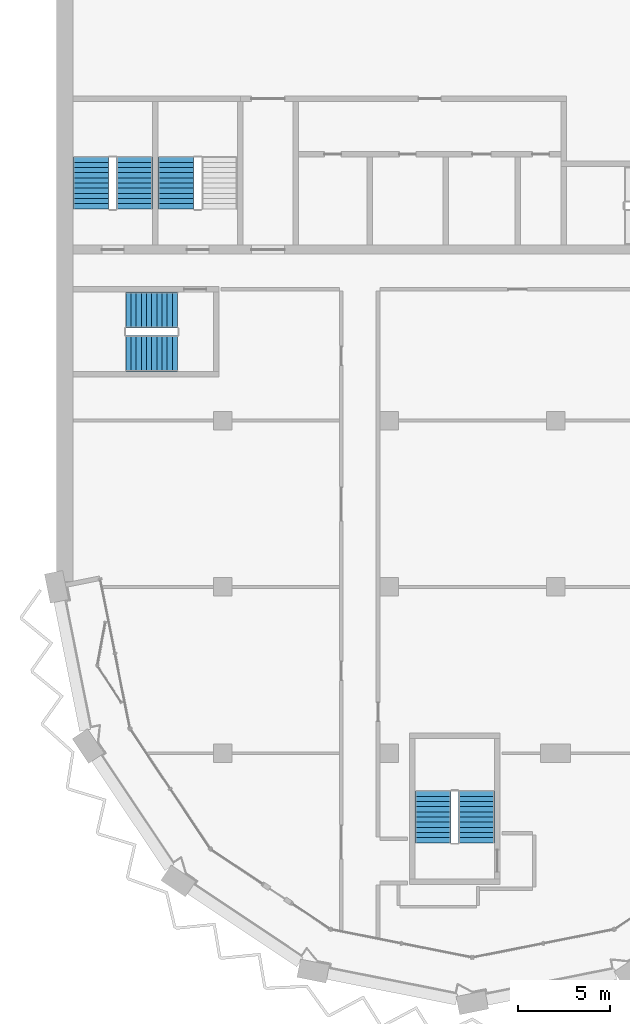
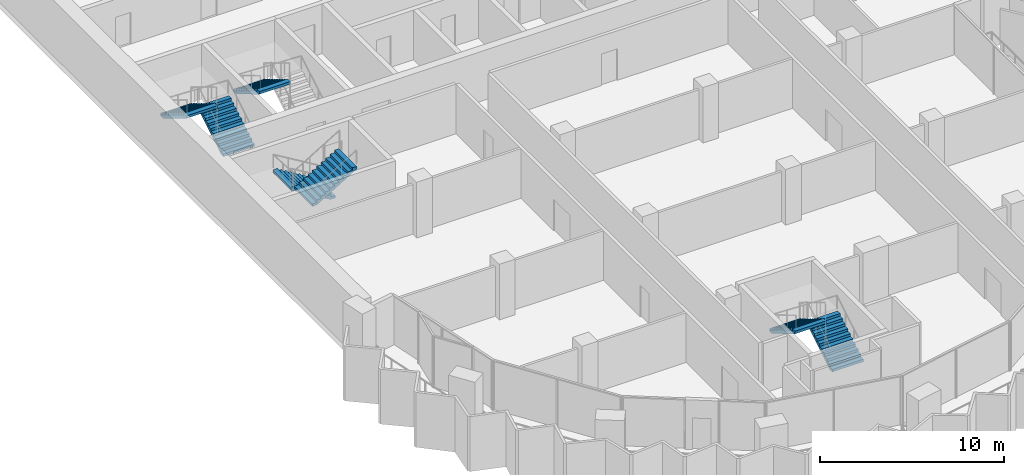
# One storey, part 12 of 17: 7 stair flights, 4 elements without a shape of their own.
"""IFC4 building model written with IfcOpenShell, lengths in metres."""

from ifc_helpers import new_model, si_unit, direction, frame, origin, place, context, subcontext, project, spatial, polyline, outline, extrude, material, type_object, element, aggregate, save


model = new_model("IFC4")

# Units and contexts
model_context = context("Model", 3, precision=1e-05, world=origin(), true_north=direction((0.0, 1.0)))
body_context = subcontext(model_context, "Body", "Model", "MODEL_VIEW")
ifc_project = project(units=[si_unit("LENGTHUNIT", "METRE"), si_unit("AREAUNIT", "SQUARE_METRE"), si_unit("VOLUMEUNIT", "CUBIC_METRE"), si_unit("PLANEANGLEUNIT", "RADIAN"), si_unit("MASSUNIT", "GRAM", prefix="KILO")], contexts=[model_context])

# Site, building, storey
site_placement = place(None, origin())
site = spatial("IfcSite", under=ifc_project, at=site_placement, CompositionType="ELEMENT")
building_placement = place(site_placement, origin())
building = spatial("IfcBuilding", under=site, at=building_placement, Name="Hunhe Ridgeline Campus", CompositionType="ELEMENT")
storey_placement = place(building_placement, frame((0.0, 0.0, 265.10009765625)))
storey = spatial("IfcBuildingStorey", under=building, at=storey_placement, Name="L68", CompositionType="ELEMENT", Elevation=265.10009765625)

# Stair, stair flights
ifc_material = material(Name="Concrete C40", Category="concrete")
stair_type = type_object("IfcStairType", Name="Reinforced concrete dog-leg stair 1950 Concrete C40", PredefinedType="HALF_TURN_STAIR", material=ifc_material)
stair_1_placement = place(storey_placement, origin())
stair_1 = element("IfcStair", 1, at=stair_1_placement, inside=storey, type_object=stair_type, Name="L68 S3", PredefinedType="HALF_TURN_STAIR")
stair_flight_type = type_object("IfcStairFlightType", Name="Reinforced concrete stair flight 1950 Concrete C40", PredefinedType="STRAIGHT", material=ifc_material)
stair_flight_1_placement = place(storey_placement, frame((4.22509765625, 65.449951171875, 0.0), z_axis=(0.0, 0.0, 1.0), x_axis=(0.0, 1.0, 0.0)))
stair_flight_1 = element("IfcStairFlight", 2, at=stair_flight_1_placement, type_object=stair_flight_type, Name="ST3 flight 1", NumberOfRisers=11, NumberOfTreads=10, PredefinedType="STRAIGHT", RiserHeight=0.168181818, TreadLength=0.28, context=body_context, shape_type="SweptSolid", body=[
    extrude(outline(polyline([(0.0, 0.0), (0.0, 0.168212890625), (0.280029296875, 0.168212890625), (0.280029296875, 0.33642578125), (0.56005859375, 0.33642578125), (0.56005859375, 0.504638671875), (0.840087890625, 0.504638671875), (0.840087890625, 0.672607421875), (1.1201171875, 0.672607421875), (1.1201171875, 0.8408203125), (1.39990234375, 0.8408203125), (1.39990234375, 1.009033203125), (1.679931640625, 1.009033203125), (1.679931640625, 1.17724609375), (1.9599609375, 1.17724609375), (1.9599609375, 1.345458984375), (2.239990234375, 1.345458984375), (2.239990234375, 1.513671875), (2.52001953125, 1.513671875), (2.52001953125, 1.681884765625), (2.800048828125, 1.681884765625), (2.800048828125, 1.85009765625), (2.800048828125, 1.5068359375), (0.291015625, 0.0), (0.0, 0.0)])), frame((0.0, 0.97509765625, 0.0), z_axis=(0.0, -1.0, 0.0), x_axis=(1.0, 0.0, 0.0)), (0.0, 0.0, 1.0), 1.949951171875),
    extrude(outline(polyline([(0.030029296875, 0.030029296875), (0.030029296875, 0.13818359375), (0.31005859375, 0.13818359375), (0.31005859375, 0.306396484375), (0.590087890625, 0.306396484375), (0.590087890625, 0.474609375), (0.8701171875, 0.474609375), (0.8701171875, 0.642578125), (1.14990234375, 0.642578125), (1.14990234375, 0.810791015625), (1.429931640625, 0.810791015625), (1.429931640625, 0.97900390625), (1.7099609375, 0.97900390625), (1.7099609375, 1.147216796875), (1.989990234375, 1.147216796875), (1.989990234375, 1.3154296875), (2.27001953125, 1.3154296875), (2.27001953125, 1.483642578125), (2.550048828125, 1.483642578125), (2.550048828125, 1.65185546875), (2.77001953125, 1.65185546875), (2.77001953125, 1.52392578125), (0.28271484375, 0.030029296875), (0.030029296875, 0.030029296875)])), frame((0.0, -0.070068359375, 0.0), z_axis=(0.0, -1.0, 0.0), x_axis=(1.0, 0.0, 0.0)), (0.0, 0.0, 1.0), 0.019775390625),
    extrude(outline(polyline([(0.030029296875, 0.030029296875), (0.030029296875, 0.13818359375), (0.31005859375, 0.13818359375), (0.31005859375, 0.306396484375), (0.590087890625, 0.306396484375), (0.590087890625, 0.474609375), (0.8701171875, 0.474609375), (0.8701171875, 0.642578125), (1.14990234375, 0.642578125), (1.14990234375, 0.810791015625), (1.429931640625, 0.810791015625), (1.429931640625, 0.97900390625), (1.7099609375, 0.97900390625), (1.7099609375, 1.147216796875), (1.989990234375, 1.147216796875), (1.989990234375, 1.3154296875), (2.27001953125, 1.3154296875), (2.27001953125, 1.483642578125), (2.550048828125, 1.483642578125), (2.550048828125, 1.65185546875), (2.77001953125, 1.65185546875), (2.77001953125, 1.52392578125), (0.28271484375, 0.030029296875), (0.030029296875, 0.030029296875)])), frame((0.0, 0.010009765625, 0.0), z_axis=(0.0, -1.0, 0.0), x_axis=(1.0, 0.0, 0.0)), (0.0, 0.0, 1.0), 0.019775390625),
    extrude(outline(polyline([(0.030029296875, 0.030029296875), (0.030029296875, 0.13818359375), (0.31005859375, 0.13818359375), (0.31005859375, 0.306396484375), (0.590087890625, 0.306396484375), (0.590087890625, 0.474609375), (0.8701171875, 0.474609375), (0.8701171875, 0.642578125), (1.14990234375, 0.642578125), (1.14990234375, 0.810791015625), (1.429931640625, 0.810791015625), (1.429931640625, 0.97900390625), (1.7099609375, 0.97900390625), (1.7099609375, 1.147216796875), (1.989990234375, 1.147216796875), (1.989990234375, 1.3154296875), (2.27001953125, 1.3154296875), (2.27001953125, 1.483642578125), (2.550048828125, 1.483642578125), (2.550048828125, 1.65185546875), (2.77001953125, 1.65185546875), (2.77001953125, 1.52392578125), (0.28271484375, 0.030029296875), (0.030029296875, 0.030029296875)])), frame((0.0, 0.090087890625, 0.0), z_axis=(0.0, -1.0, 0.0), x_axis=(1.0, 0.0, 0.0)), (0.0, 0.0, 1.0), 0.019775390625),
])
stair_flight_2_placement = place(storey_placement, frame((1.875, 68.25, 1.849853515625), z_axis=(0.0, 0.0, 1.0), x_axis=(0.0, -1.0, 0.0)))
stair_flight_2 = element("IfcStairFlight", 3, at=stair_flight_2_placement, type_object=stair_flight_type, Name="ST3 flight 2", NumberOfRisers=11, NumberOfTreads=10, PredefinedType="STRAIGHT", RiserHeight=0.168181818, TreadLength=0.28, context=body_context, shape_type="SweptSolid", body=[
    extrude(outline(polyline([(0.0, 0.0), (0.0, 0.168212890625), (0.280029296875, 0.168212890625), (0.280029296875, 0.33642578125), (0.56005859375, 0.33642578125), (0.56005859375, 0.504638671875), (0.840087890625, 0.504638671875), (0.840087890625, 0.672607421875), (1.1201171875, 0.672607421875), (1.1201171875, 0.8408203125), (1.39990234375, 0.8408203125), (1.39990234375, 1.009033203125), (1.679931640625, 1.009033203125), (1.679931640625, 1.17724609375), (1.9599609375, 1.17724609375), (1.9599609375, 1.345458984375), (2.239990234375, 1.345458984375), (2.239990234375, 1.513671875), (2.52001953125, 1.513671875), (2.52001953125, 1.681884765625), (2.800048828125, 1.681884765625), (2.800048828125, 1.85009765625), (2.800048828125, 1.5068359375), (0.291015625, 0.0), (0.0, 0.0)])), frame((0.0, 0.97509765625, 0.0), z_axis=(0.0, -1.0, 0.0), x_axis=(1.0, 0.0, 0.0)), (0.0, 0.0, 1.0), 1.949951171875),
    extrude(outline(polyline([(0.030029296875, 0.030029296875), (0.030029296875, 0.13818359375), (0.31005859375, 0.13818359375), (0.31005859375, 0.306396484375), (0.590087890625, 0.306396484375), (0.590087890625, 0.474609375), (0.8701171875, 0.474609375), (0.8701171875, 0.642578125), (1.14990234375, 0.642578125), (1.14990234375, 0.810791015625), (1.429931640625, 0.810791015625), (1.429931640625, 0.97900390625), (1.7099609375, 0.97900390625), (1.7099609375, 1.147216796875), (1.989990234375, 1.147216796875), (1.989990234375, 1.3154296875), (2.27001953125, 1.3154296875), (2.27001953125, 1.483642578125), (2.550048828125, 1.483642578125), (2.550048828125, 1.65185546875), (2.77001953125, 1.65185546875), (2.77001953125, 1.52392578125), (0.28271484375, 0.030029296875), (0.030029296875, 0.030029296875)])), frame((0.0, -0.070068359375, 0.0), z_axis=(0.0, -1.0, 0.0), x_axis=(1.0, 0.0, 0.0)), (0.0, 0.0, 1.0), 0.019775390625),
    extrude(outline(polyline([(0.030029296875, 0.030029296875), (0.030029296875, 0.13818359375), (0.31005859375, 0.13818359375), (0.31005859375, 0.306396484375), (0.590087890625, 0.306396484375), (0.590087890625, 0.474609375), (0.8701171875, 0.474609375), (0.8701171875, 0.642578125), (1.14990234375, 0.642578125), (1.14990234375, 0.810791015625), (1.429931640625, 0.810791015625), (1.429931640625, 0.97900390625), (1.7099609375, 0.97900390625), (1.7099609375, 1.147216796875), (1.989990234375, 1.147216796875), (1.989990234375, 1.3154296875), (2.27001953125, 1.3154296875), (2.27001953125, 1.483642578125), (2.550048828125, 1.483642578125), (2.550048828125, 1.65185546875), (2.77001953125, 1.65185546875), (2.77001953125, 1.52392578125), (0.28271484375, 0.030029296875), (0.030029296875, 0.030029296875)])), frame((0.0, 0.010009765625, 0.0), z_axis=(0.0, -1.0, 0.0), x_axis=(1.0, 0.0, 0.0)), (0.0, 0.0, 1.0), 0.019775390625),
    extrude(outline(polyline([(0.030029296875, 0.030029296875), (0.030029296875, 0.13818359375), (0.31005859375, 0.13818359375), (0.31005859375, 0.306396484375), (0.590087890625, 0.306396484375), (0.590087890625, 0.474609375), (0.8701171875, 0.474609375), (0.8701171875, 0.642578125), (1.14990234375, 0.642578125), (1.14990234375, 0.810791015625), (1.429931640625, 0.810791015625), (1.429931640625, 0.97900390625), (1.7099609375, 0.97900390625), (1.7099609375, 1.147216796875), (1.989990234375, 1.147216796875), (1.989990234375, 1.3154296875), (2.27001953125, 1.3154296875), (2.27001953125, 1.483642578125), (2.550048828125, 1.483642578125), (2.550048828125, 1.65185546875), (2.77001953125, 1.65185546875), (2.77001953125, 1.52392578125), (0.28271484375, 0.030029296875), (0.030029296875, 0.030029296875)])), frame((0.0, 0.090087890625, 0.0), z_axis=(0.0, -1.0, 0.0), x_axis=(1.0, 0.0, 0.0)), (0.0, 0.0, 1.0), 0.019775390625),
])
aggregate(stair_1, [stair_flight_1, stair_flight_2])

# Stair, stair flight
stair_2_placement = place(storey_placement, origin())
stair_2 = element("IfcStair", 4, at=stair_2_placement, inside=storey, type_object=stair_type, Name="L68 S4", PredefinedType="HALF_TURN_STAIR")
stair_flight_3_placement = place(storey_placement, frame((6.47509765625, 68.25, 1.849853515625), z_axis=(0.0, 0.0, 1.0), x_axis=(0.0, -1.0, 0.0)))
stair_flight_3 = element("IfcStairFlight", 5, at=stair_flight_3_placement, type_object=stair_flight_type, Name="ST4 flight 2", NumberOfRisers=11, NumberOfTreads=10, PredefinedType="STRAIGHT", RiserHeight=0.168181818, TreadLength=0.28, context=body_context, shape_type="SweptSolid", body=[
    extrude(outline(polyline([(0.0, 0.0), (0.0, 0.168212890625), (0.280029296875, 0.168212890625), (0.280029296875, 0.33642578125), (0.56005859375, 0.33642578125), (0.56005859375, 0.504638671875), (0.840087890625, 0.504638671875), (0.840087890625, 0.672607421875), (1.1201171875, 0.672607421875), (1.1201171875, 0.8408203125), (1.39990234375, 0.8408203125), (1.39990234375, 1.009033203125), (1.679931640625, 1.009033203125), (1.679931640625, 1.17724609375), (1.9599609375, 1.17724609375), (1.9599609375, 1.345458984375), (2.239990234375, 1.345458984375), (2.239990234375, 1.513671875), (2.52001953125, 1.513671875), (2.52001953125, 1.681884765625), (2.800048828125, 1.681884765625), (2.800048828125, 1.85009765625), (2.800048828125, 1.5068359375), (0.291015625, 0.0), (0.0, 0.0)])), frame((0.0, 0.97509765625, 0.0), z_axis=(0.0, -1.0, 0.0), x_axis=(1.0, 0.0, 0.0)), (0.0, 0.0, 1.0), 1.949951171875),
    extrude(outline(polyline([(0.030029296875, 0.030029296875), (0.030029296875, 0.13818359375), (0.31005859375, 0.13818359375), (0.31005859375, 0.306396484375), (0.590087890625, 0.306396484375), (0.590087890625, 0.474609375), (0.8701171875, 0.474609375), (0.8701171875, 0.642578125), (1.14990234375, 0.642578125), (1.14990234375, 0.810791015625), (1.429931640625, 0.810791015625), (1.429931640625, 0.97900390625), (1.7099609375, 0.97900390625), (1.7099609375, 1.147216796875), (1.989990234375, 1.147216796875), (1.989990234375, 1.3154296875), (2.27001953125, 1.3154296875), (2.27001953125, 1.483642578125), (2.550048828125, 1.483642578125), (2.550048828125, 1.65185546875), (2.77001953125, 1.65185546875), (2.77001953125, 1.52392578125), (0.28271484375, 0.030029296875), (0.030029296875, 0.030029296875)])), frame((0.0, -0.070068359375, 0.0), z_axis=(0.0, -1.0, 0.0), x_axis=(1.0, 0.0, 0.0)), (0.0, 0.0, 1.0), 0.019775390625),
    extrude(outline(polyline([(0.030029296875, 0.030029296875), (0.030029296875, 0.13818359375), (0.31005859375, 0.13818359375), (0.31005859375, 0.306396484375), (0.590087890625, 0.306396484375), (0.590087890625, 0.474609375), (0.8701171875, 0.474609375), (0.8701171875, 0.642578125), (1.14990234375, 0.642578125), (1.14990234375, 0.810791015625), (1.429931640625, 0.810791015625), (1.429931640625, 0.97900390625), (1.7099609375, 0.97900390625), (1.7099609375, 1.147216796875), (1.989990234375, 1.147216796875), (1.989990234375, 1.3154296875), (2.27001953125, 1.3154296875), (2.27001953125, 1.483642578125), (2.550048828125, 1.483642578125), (2.550048828125, 1.65185546875), (2.77001953125, 1.65185546875), (2.77001953125, 1.52392578125), (0.28271484375, 0.030029296875), (0.030029296875, 0.030029296875)])), frame((0.0, 0.010009765625, 0.0), z_axis=(0.0, -1.0, 0.0), x_axis=(1.0, 0.0, 0.0)), (0.0, 0.0, 1.0), 0.019775390625),
    extrude(outline(polyline([(0.030029296875, 0.030029296875), (0.030029296875, 0.13818359375), (0.31005859375, 0.13818359375), (0.31005859375, 0.306396484375), (0.590087890625, 0.306396484375), (0.590087890625, 0.474609375), (0.8701171875, 0.474609375), (0.8701171875, 0.642578125), (1.14990234375, 0.642578125), (1.14990234375, 0.810791015625), (1.429931640625, 0.810791015625), (1.429931640625, 0.97900390625), (1.7099609375, 0.97900390625), (1.7099609375, 1.147216796875), (1.989990234375, 1.147216796875), (1.989990234375, 1.3154296875), (2.27001953125, 1.3154296875), (2.27001953125, 1.483642578125), (2.550048828125, 1.483642578125), (2.550048828125, 1.65185546875), (2.77001953125, 1.65185546875), (2.77001953125, 1.52392578125), (0.28271484375, 0.030029296875), (0.030029296875, 0.030029296875)])), frame((0.0, 0.090087890625, 0.0), z_axis=(0.0, -1.0, 0.0), x_axis=(1.0, 0.0, 0.0)), (0.0, 0.0, 1.0), 0.019775390625),
])
aggregate(stair_2, [stair_flight_3])

# Stair, stair flights
stair_3_placement = place(storey_placement, origin())
stair_3 = element("IfcStair", 6, at=stair_3_placement, inside=storey, type_object=stair_type, Name="L68 W3", PredefinedType="HALF_TURN_STAIR")
stair_flight_4_placement = place(storey_placement, frame((22.72509765625, 31.14990234375, 0.0), z_axis=(0.0, 0.0, 1.0), x_axis=(0.0, 1.0, 0.0)))
stair_flight_4 = element("IfcStairFlight", 7, at=stair_flight_4_placement, type_object=stair_flight_type, Name="ST9 flight 1", NumberOfRisers=11, NumberOfTreads=10, PredefinedType="STRAIGHT", RiserHeight=0.168181818, TreadLength=0.28, context=body_context, shape_type="SweptSolid", body=[
    extrude(outline(polyline([(0.0, 0.0), (0.0, 0.168212890625), (0.280029296875, 0.168212890625), (0.280029296875, 0.33642578125), (0.56005859375, 0.33642578125), (0.56005859375, 0.504638671875), (0.840087890625, 0.504638671875), (0.840087890625, 0.672607421875), (1.1201171875, 0.672607421875), (1.1201171875, 0.8408203125), (1.39990234375, 0.8408203125), (1.39990234375, 1.009033203125), (1.679931640625, 1.009033203125), (1.679931640625, 1.17724609375), (1.9599609375, 1.17724609375), (1.9599609375, 1.345458984375), (2.239990234375, 1.345458984375), (2.239990234375, 1.513671875), (2.52001953125, 1.513671875), (2.52001953125, 1.681884765625), (2.800048828125, 1.681884765625), (2.800048828125, 1.85009765625), (2.800048828125, 1.5068359375), (0.291015625, 0.0), (0.0, 0.0)])), frame((0.0, 0.97509765625, 0.0), z_axis=(0.0, -1.0, 0.0), x_axis=(1.0, 0.0, 0.0)), (0.0, 0.0, 1.0), 1.949951171875),
    extrude(outline(polyline([(0.030029296875, 0.030029296875), (0.030029296875, 0.13818359375), (0.31005859375, 0.13818359375), (0.31005859375, 0.306396484375), (0.590087890625, 0.306396484375), (0.590087890625, 0.474609375), (0.8701171875, 0.474609375), (0.8701171875, 0.642578125), (1.14990234375, 0.642578125), (1.14990234375, 0.810791015625), (1.429931640625, 0.810791015625), (1.429931640625, 0.97900390625), (1.7099609375, 0.97900390625), (1.7099609375, 1.147216796875), (1.989990234375, 1.147216796875), (1.989990234375, 1.3154296875), (2.27001953125, 1.3154296875), (2.27001953125, 1.483642578125), (2.550048828125, 1.483642578125), (2.550048828125, 1.65185546875), (2.77001953125, 1.65185546875), (2.77001953125, 1.52392578125), (0.28271484375, 0.030029296875), (0.030029296875, 0.030029296875)])), frame((0.0, -0.070068359375, 0.0), z_axis=(0.0, -1.0, 0.0), x_axis=(1.0, 0.0, 0.0)), (0.0, 0.0, 1.0), 0.019775390625),
    extrude(outline(polyline([(0.030029296875, 0.030029296875), (0.030029296875, 0.13818359375), (0.31005859375, 0.13818359375), (0.31005859375, 0.306396484375), (0.590087890625, 0.306396484375), (0.590087890625, 0.474609375), (0.8701171875, 0.474609375), (0.8701171875, 0.642578125), (1.14990234375, 0.642578125), (1.14990234375, 0.810791015625), (1.429931640625, 0.810791015625), (1.429931640625, 0.97900390625), (1.7099609375, 0.97900390625), (1.7099609375, 1.147216796875), (1.989990234375, 1.147216796875), (1.989990234375, 1.3154296875), (2.27001953125, 1.3154296875), (2.27001953125, 1.483642578125), (2.550048828125, 1.483642578125), (2.550048828125, 1.65185546875), (2.77001953125, 1.65185546875), (2.77001953125, 1.52392578125), (0.28271484375, 0.030029296875), (0.030029296875, 0.030029296875)])), frame((0.0, 0.010009765625, 0.0), z_axis=(0.0, -1.0, 0.0), x_axis=(1.0, 0.0, 0.0)), (0.0, 0.0, 1.0), 0.019775390625),
    extrude(outline(polyline([(0.030029296875, 0.030029296875), (0.030029296875, 0.13818359375), (0.31005859375, 0.13818359375), (0.31005859375, 0.306396484375), (0.590087890625, 0.306396484375), (0.590087890625, 0.474609375), (0.8701171875, 0.474609375), (0.8701171875, 0.642578125), (1.14990234375, 0.642578125), (1.14990234375, 0.810791015625), (1.429931640625, 0.810791015625), (1.429931640625, 0.97900390625), (1.7099609375, 0.97900390625), (1.7099609375, 1.147216796875), (1.989990234375, 1.147216796875), (1.989990234375, 1.3154296875), (2.27001953125, 1.3154296875), (2.27001953125, 1.483642578125), (2.550048828125, 1.483642578125), (2.550048828125, 1.65185546875), (2.77001953125, 1.65185546875), (2.77001953125, 1.52392578125), (0.28271484375, 0.030029296875), (0.030029296875, 0.030029296875)])), frame((0.0, 0.090087890625, 0.0), z_axis=(0.0, -1.0, 0.0), x_axis=(1.0, 0.0, 0.0)), (0.0, 0.0, 1.0), 0.019775390625),
])
stair_flight_5_placement = place(storey_placement, frame((20.375, 33.949951171875, 1.849853515625), z_axis=(0.0, 0.0, 1.0), x_axis=(0.0, -1.0, 0.0)))
stair_flight_5 = element("IfcStairFlight", 8, at=stair_flight_5_placement, type_object=stair_flight_type, Name="ST9 flight 2", NumberOfRisers=11, NumberOfTreads=10, PredefinedType="STRAIGHT", RiserHeight=0.168181818, TreadLength=0.28, context=body_context, shape_type="SweptSolid", body=[
    extrude(outline(polyline([(0.0, 0.0), (0.0, 0.168212890625), (0.280029296875, 0.168212890625), (0.280029296875, 0.33642578125), (0.56005859375, 0.33642578125), (0.56005859375, 0.504638671875), (0.840087890625, 0.504638671875), (0.840087890625, 0.672607421875), (1.1201171875, 0.672607421875), (1.1201171875, 0.8408203125), (1.39990234375, 0.8408203125), (1.39990234375, 1.009033203125), (1.679931640625, 1.009033203125), (1.679931640625, 1.17724609375), (1.9599609375, 1.17724609375), (1.9599609375, 1.345458984375), (2.239990234375, 1.345458984375), (2.239990234375, 1.513671875), (2.52001953125, 1.513671875), (2.52001953125, 1.681884765625), (2.800048828125, 1.681884765625), (2.800048828125, 1.85009765625), (2.800048828125, 1.5068359375), (0.291015625, 0.0), (0.0, 0.0)])), frame((0.0, 0.97509765625, 0.0), z_axis=(0.0, -1.0, 0.0), x_axis=(1.0, 0.0, 0.0)), (0.0, 0.0, 1.0), 1.949951171875),
    extrude(outline(polyline([(0.030029296875, 0.030029296875), (0.030029296875, 0.13818359375), (0.31005859375, 0.13818359375), (0.31005859375, 0.306396484375), (0.590087890625, 0.306396484375), (0.590087890625, 0.474609375), (0.8701171875, 0.474609375), (0.8701171875, 0.642578125), (1.14990234375, 0.642578125), (1.14990234375, 0.810791015625), (1.429931640625, 0.810791015625), (1.429931640625, 0.97900390625), (1.7099609375, 0.97900390625), (1.7099609375, 1.147216796875), (1.989990234375, 1.147216796875), (1.989990234375, 1.3154296875), (2.27001953125, 1.3154296875), (2.27001953125, 1.483642578125), (2.550048828125, 1.483642578125), (2.550048828125, 1.65185546875), (2.77001953125, 1.65185546875), (2.77001953125, 1.52392578125), (0.28271484375, 0.030029296875), (0.030029296875, 0.030029296875)])), frame((0.0, -0.070068359375, 0.0), z_axis=(0.0, -1.0, 0.0), x_axis=(1.0, 0.0, 0.0)), (0.0, 0.0, 1.0), 0.019775390625),
    extrude(outline(polyline([(0.030029296875, 0.030029296875), (0.030029296875, 0.13818359375), (0.31005859375, 0.13818359375), (0.31005859375, 0.306396484375), (0.590087890625, 0.306396484375), (0.590087890625, 0.474609375), (0.8701171875, 0.474609375), (0.8701171875, 0.642578125), (1.14990234375, 0.642578125), (1.14990234375, 0.810791015625), (1.429931640625, 0.810791015625), (1.429931640625, 0.97900390625), (1.7099609375, 0.97900390625), (1.7099609375, 1.147216796875), (1.989990234375, 1.147216796875), (1.989990234375, 1.3154296875), (2.27001953125, 1.3154296875), (2.27001953125, 1.483642578125), (2.550048828125, 1.483642578125), (2.550048828125, 1.65185546875), (2.77001953125, 1.65185546875), (2.77001953125, 1.52392578125), (0.28271484375, 0.030029296875), (0.030029296875, 0.030029296875)])), frame((0.0, 0.010009765625, 0.0), z_axis=(0.0, -1.0, 0.0), x_axis=(1.0, 0.0, 0.0)), (0.0, 0.0, 1.0), 0.019775390625),
    extrude(outline(polyline([(0.030029296875, 0.030029296875), (0.030029296875, 0.13818359375), (0.31005859375, 0.13818359375), (0.31005859375, 0.306396484375), (0.590087890625, 0.306396484375), (0.590087890625, 0.474609375), (0.8701171875, 0.474609375), (0.8701171875, 0.642578125), (1.14990234375, 0.642578125), (1.14990234375, 0.810791015625), (1.429931640625, 0.810791015625), (1.429931640625, 0.97900390625), (1.7099609375, 0.97900390625), (1.7099609375, 1.147216796875), (1.989990234375, 1.147216796875), (1.989990234375, 1.3154296875), (2.27001953125, 1.3154296875), (2.27001953125, 1.483642578125), (2.550048828125, 1.483642578125), (2.550048828125, 1.65185546875), (2.77001953125, 1.65185546875), (2.77001953125, 1.52392578125), (0.28271484375, 0.030029296875), (0.030029296875, 0.030029296875)])), frame((0.0, 0.090087890625, 0.0), z_axis=(0.0, -1.0, 0.0), x_axis=(1.0, 0.0, 0.0)), (0.0, 0.0, 1.0), 0.019775390625),
])
aggregate(stair_3, [stair_flight_4, stair_flight_5])

stair_4_placement = place(storey_placement, origin())
stair_4 = element("IfcStair", 9, at=stair_4_placement, inside=storey, type_object=stair_type, Name="L68 W2", PredefinedType="HALF_TURN_STAIR")
stair_flight_6_placement = place(storey_placement, frame((6.550048828125, 59.97509765625, 0.0), z_axis=(0.0, 0.0, 1.0), x_axis=(-1.0, 0.0, 0.0)))
stair_flight_6 = element("IfcStairFlight", 10, at=stair_flight_6_placement, type_object=stair_flight_type, Name="ST12 flight 1", NumberOfRisers=11, NumberOfTreads=10, PredefinedType="STRAIGHT", RiserHeight=0.168181818, TreadLength=0.28, context=body_context, shape_type="SweptSolid", body=[
    extrude(outline(polyline([(0.0, 0.0), (0.0, 0.168212890625), (0.280029296875, 0.168212890625), (0.280029296875, 0.33642578125), (0.56005859375, 0.33642578125), (0.56005859375, 0.504638671875), (0.840087890625, 0.504638671875), (0.840087890625, 0.672607421875), (1.1201171875, 0.672607421875), (1.1201171875, 0.8408203125), (1.39990234375, 0.8408203125), (1.39990234375, 1.009033203125), (1.679931640625, 1.009033203125), (1.679931640625, 1.17724609375), (1.9599609375, 1.17724609375), (1.9599609375, 1.345458984375), (2.239990234375, 1.345458984375), (2.239990234375, 1.513671875), (2.52001953125, 1.513671875), (2.52001953125, 1.681884765625), (2.800048828125, 1.681884765625), (2.800048828125, 1.85009765625), (2.800048828125, 1.5068359375), (0.291015625, 0.0), (0.0, 0.0)])), frame((0.0, 0.97509765625, 0.0), z_axis=(0.0, -1.0, 0.0), x_axis=(1.0, 0.0, 0.0)), (0.0, 0.0, 1.0), 1.949951171875),
    extrude(outline(polyline([(0.030029296875, 0.030029296875), (0.030029296875, 0.13818359375), (0.31005859375, 0.13818359375), (0.31005859375, 0.306396484375), (0.590087890625, 0.306396484375), (0.590087890625, 0.474609375), (0.8701171875, 0.474609375), (0.8701171875, 0.642578125), (1.14990234375, 0.642578125), (1.14990234375, 0.810791015625), (1.429931640625, 0.810791015625), (1.429931640625, 0.97900390625), (1.7099609375, 0.97900390625), (1.7099609375, 1.147216796875), (1.989990234375, 1.147216796875), (1.989990234375, 1.3154296875), (2.27001953125, 1.3154296875), (2.27001953125, 1.483642578125), (2.550048828125, 1.483642578125), (2.550048828125, 1.65185546875), (2.77001953125, 1.65185546875), (2.77001953125, 1.52392578125), (0.28271484375, 0.030029296875), (0.030029296875, 0.030029296875)])), frame((0.0, -0.070068359375, 0.0), z_axis=(0.0, -1.0, 0.0), x_axis=(1.0, 0.0, 0.0)), (0.0, 0.0, 1.0), 0.019775390625),
    extrude(outline(polyline([(0.030029296875, 0.030029296875), (0.030029296875, 0.13818359375), (0.31005859375, 0.13818359375), (0.31005859375, 0.306396484375), (0.590087890625, 0.306396484375), (0.590087890625, 0.474609375), (0.8701171875, 0.474609375), (0.8701171875, 0.642578125), (1.14990234375, 0.642578125), (1.14990234375, 0.810791015625), (1.429931640625, 0.810791015625), (1.429931640625, 0.97900390625), (1.7099609375, 0.97900390625), (1.7099609375, 1.147216796875), (1.989990234375, 1.147216796875), (1.989990234375, 1.3154296875), (2.27001953125, 1.3154296875), (2.27001953125, 1.483642578125), (2.550048828125, 1.483642578125), (2.550048828125, 1.65185546875), (2.77001953125, 1.65185546875), (2.77001953125, 1.52392578125), (0.28271484375, 0.030029296875), (0.030029296875, 0.030029296875)])), frame((0.0, 0.010009765625, 0.0), z_axis=(0.0, -1.0, 0.0), x_axis=(1.0, 0.0, 0.0)), (0.0, 0.0, 1.0), 0.019775390625),
    extrude(outline(polyline([(0.030029296875, 0.030029296875), (0.030029296875, 0.13818359375), (0.31005859375, 0.13818359375), (0.31005859375, 0.306396484375), (0.590087890625, 0.306396484375), (0.590087890625, 0.474609375), (0.8701171875, 0.474609375), (0.8701171875, 0.642578125), (1.14990234375, 0.642578125), (1.14990234375, 0.810791015625), (1.429931640625, 0.810791015625), (1.429931640625, 0.97900390625), (1.7099609375, 0.97900390625), (1.7099609375, 1.147216796875), (1.989990234375, 1.147216796875), (1.989990234375, 1.3154296875), (2.27001953125, 1.3154296875), (2.27001953125, 1.483642578125), (2.550048828125, 1.483642578125), (2.550048828125, 1.65185546875), (2.77001953125, 1.65185546875), (2.77001953125, 1.52392578125), (0.28271484375, 0.030029296875), (0.030029296875, 0.030029296875)])), frame((0.0, 0.090087890625, 0.0), z_axis=(0.0, -1.0, 0.0), x_axis=(1.0, 0.0, 0.0)), (0.0, 0.0, 1.0), 0.019775390625),
])
stair_flight_7_placement = place(storey_placement, frame((3.75, 57.625, 1.849853515625), z_axis=(0.0, 0.0, 1.0), x_axis=(1.0, 0.0, 0.0)))
stair_flight_7 = element("IfcStairFlight", 11, at=stair_flight_7_placement, type_object=stair_flight_type, Name="ST12 flight 2", NumberOfRisers=11, NumberOfTreads=10, PredefinedType="STRAIGHT", RiserHeight=0.168181818, TreadLength=0.28, context=body_context, shape_type="SweptSolid", body=[
    extrude(outline(polyline([(0.0, 0.0), (0.0, 0.168212890625), (0.280029296875, 0.168212890625), (0.280029296875, 0.33642578125), (0.56005859375, 0.33642578125), (0.56005859375, 0.504638671875), (0.840087890625, 0.504638671875), (0.840087890625, 0.672607421875), (1.1201171875, 0.672607421875), (1.1201171875, 0.8408203125), (1.39990234375, 0.8408203125), (1.39990234375, 1.009033203125), (1.679931640625, 1.009033203125), (1.679931640625, 1.17724609375), (1.9599609375, 1.17724609375), (1.9599609375, 1.345458984375), (2.239990234375, 1.345458984375), (2.239990234375, 1.513671875), (2.52001953125, 1.513671875), (2.52001953125, 1.681884765625), (2.800048828125, 1.681884765625), (2.800048828125, 1.85009765625), (2.800048828125, 1.5068359375), (0.291015625, 0.0), (0.0, 0.0)])), frame((0.0, 0.97509765625, 0.0), z_axis=(0.0, -1.0, 0.0), x_axis=(1.0, 0.0, 0.0)), (0.0, 0.0, 1.0), 1.949951171875),
    extrude(outline(polyline([(0.030029296875, 0.030029296875), (0.030029296875, 0.13818359375), (0.31005859375, 0.13818359375), (0.31005859375, 0.306396484375), (0.590087890625, 0.306396484375), (0.590087890625, 0.474609375), (0.8701171875, 0.474609375), (0.8701171875, 0.642578125), (1.14990234375, 0.642578125), (1.14990234375, 0.810791015625), (1.429931640625, 0.810791015625), (1.429931640625, 0.97900390625), (1.7099609375, 0.97900390625), (1.7099609375, 1.147216796875), (1.989990234375, 1.147216796875), (1.989990234375, 1.3154296875), (2.27001953125, 1.3154296875), (2.27001953125, 1.483642578125), (2.550048828125, 1.483642578125), (2.550048828125, 1.65185546875), (2.77001953125, 1.65185546875), (2.77001953125, 1.52392578125), (0.28271484375, 0.030029296875), (0.030029296875, 0.030029296875)])), frame((0.0, -0.070068359375, 0.0), z_axis=(0.0, -1.0, 0.0), x_axis=(1.0, 0.0, 0.0)), (0.0, 0.0, 1.0), 0.019775390625),
    extrude(outline(polyline([(0.030029296875, 0.030029296875), (0.030029296875, 0.13818359375), (0.31005859375, 0.13818359375), (0.31005859375, 0.306396484375), (0.590087890625, 0.306396484375), (0.590087890625, 0.474609375), (0.8701171875, 0.474609375), (0.8701171875, 0.642578125), (1.14990234375, 0.642578125), (1.14990234375, 0.810791015625), (1.429931640625, 0.810791015625), (1.429931640625, 0.97900390625), (1.7099609375, 0.97900390625), (1.7099609375, 1.147216796875), (1.989990234375, 1.147216796875), (1.989990234375, 1.3154296875), (2.27001953125, 1.3154296875), (2.27001953125, 1.483642578125), (2.550048828125, 1.483642578125), (2.550048828125, 1.65185546875), (2.77001953125, 1.65185546875), (2.77001953125, 1.52392578125), (0.28271484375, 0.030029296875), (0.030029296875, 0.030029296875)])), frame((0.0, 0.010009765625, 0.0), z_axis=(0.0, -1.0, 0.0), x_axis=(1.0, 0.0, 0.0)), (0.0, 0.0, 1.0), 0.019775390625),
    extrude(outline(polyline([(0.030029296875, 0.030029296875), (0.030029296875, 0.13818359375), (0.31005859375, 0.13818359375), (0.31005859375, 0.306396484375), (0.590087890625, 0.306396484375), (0.590087890625, 0.474609375), (0.8701171875, 0.474609375), (0.8701171875, 0.642578125), (1.14990234375, 0.642578125), (1.14990234375, 0.810791015625), (1.429931640625, 0.810791015625), (1.429931640625, 0.97900390625), (1.7099609375, 0.97900390625), (1.7099609375, 1.147216796875), (1.989990234375, 1.147216796875), (1.989990234375, 1.3154296875), (2.27001953125, 1.3154296875), (2.27001953125, 1.483642578125), (2.550048828125, 1.483642578125), (2.550048828125, 1.65185546875), (2.77001953125, 1.65185546875), (2.77001953125, 1.52392578125), (0.28271484375, 0.030029296875), (0.030029296875, 0.030029296875)])), frame((0.0, 0.090087890625, 0.0), z_axis=(0.0, -1.0, 0.0), x_axis=(1.0, 0.0, 0.0)), (0.0, 0.0, 1.0), 0.019775390625),
])
aggregate(stair_4, [stair_flight_6, stair_flight_7])

save(model, "model.ifc")
